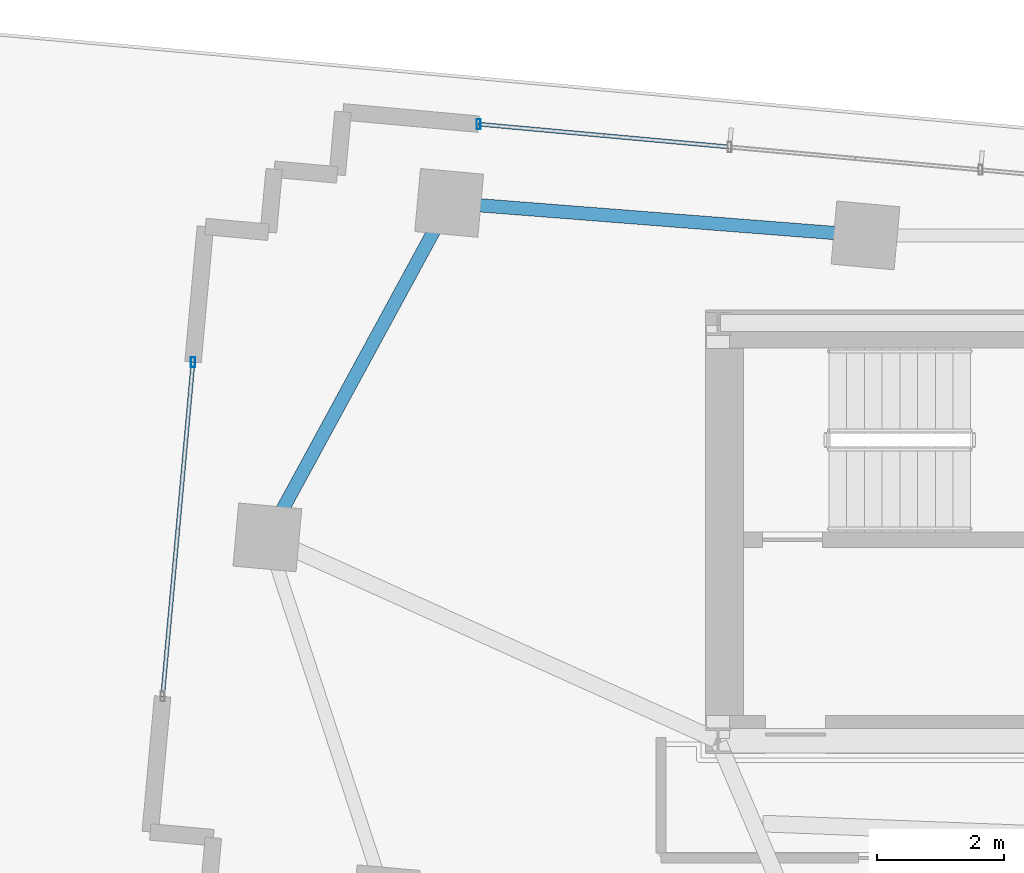
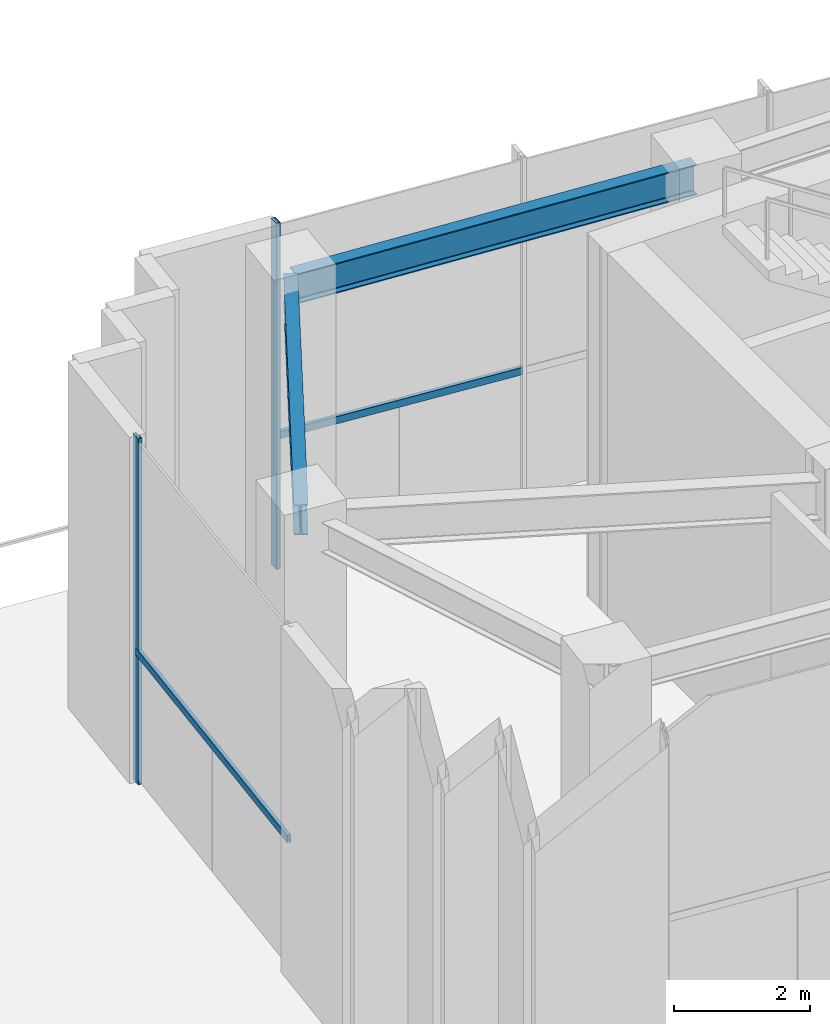
# One storey, part 4 of 18: 4 members, 2 beams, 2 elements without a shape of their own.
"""IFC4 building model written with IfcOpenShell, lengths in metres."""

from ifc_helpers import new_model, si_unit, direction, frame, origin, origin_2d, place, context, subcontext, project, spatial, hollow_rectangle, i_section, extrude, source, transform, mapped, material, material_profile, profile_set, type_object, type_shapes, element, aggregate, save


model = new_model("IFC4")

# Units and contexts
model_context = context("Model", 3, precision=1e-05, world=origin(), true_north=direction((0.0, 1.0)))
body_context = subcontext(model_context, "Body", "Model", "MODEL_VIEW")
ifc_project = project(units=[si_unit("LENGTHUNIT", "METRE"), si_unit("AREAUNIT", "SQUARE_METRE"), si_unit("VOLUMEUNIT", "CUBIC_METRE"), si_unit("PLANEANGLEUNIT", "RADIAN"), si_unit("MASSUNIT", "GRAM", prefix="KILO")], contexts=[model_context])

# Site, building, storey
site_placement = place(None, origin())
site = spatial("IfcSite", under=ifc_project, at=site_placement, CompositionType="ELEMENT")
building_placement = place(site_placement, origin())
building = spatial("IfcBuilding", under=site, at=building_placement, Name="Astriad Promenade Condominiums", CompositionType="ELEMENT")
storey_placement = place(building_placement, frame((0.0, 0.0, 264.300048828125)))
storey = spatial("IfcBuildingStorey", under=building, at=storey_placement, Name="L76", CompositionType="ELEMENT", Elevation=264.300048828125)

# Beams
ifc_material_1 = material(Name="Steel ASTM A992 Grade 50", Category="steel")
ifc_material_profile_1 = material_profile(ifc_material_1, i_section(OverallWidth=0.210693359375, OverallDepth=0.53955078125, WebThickness=0.01171875, FlangeThickness=0.018798828125, FilletRadius=0.0166015625, at=origin_2d()), Name="W21X73")
ifc_profile_set_1 = profile_set([ifc_material_profile_1], Name="Steel ASTM A992 Grade 50")
beam_type = type_object("IfcBeamType", Name="STEEL SPANDREL BEAM W21X73", PredefinedType="SPANDREL", material=ifc_profile_set_1)
shared_shape_1 = source(origin(), body_context, "Body", "SweptSolid", [
    extrude(i_section(OverallWidth=0.210693359375, OverallDepth=0.53955078125, WebThickness=0.01171875, FlangeThickness=0.018798828125, FilletRadius=0.0166015625, at=origin_2d()), origin(), (0.0, 0.0, 1.0), 5.93115234375),
])
beam_1_placement = place(storey_placement, frame((22.135498046875, 25.8583984375, 5.93017578125), z_axis=(-0.477527827146, -0.878616625327, 0.0), x_axis=(0.878616625327, -0.477527827146, 0.0)))
element("IfcBeam", 1, at=beam_1_placement, inside=storey, type_object=beam_type, Name="Perimeter Spandrel Beam SP-W2-L76", PredefinedType="SPANDREL", context=body_context, shape_type="MappedRepresentation", body=[
    mapped(shared_shape_1, transform((0.0, 0.0, 0.0), scale=1.0)),
])
shared_shape_2 = source(origin(), body_context, "Body", "SweptSolid", [
    extrude(i_section(OverallWidth=0.210693359375, OverallDepth=0.53955078125, WebThickness=0.01171875, FlangeThickness=0.018798828125, FilletRadius=0.0166015625, at=origin_2d()), origin(), (0.0, 0.0, 1.0), 6.5126953125),
])
type_shapes(beam_type, [shared_shape_1, shared_shape_2])
beam_2_placement = place(storey_placement, frame((28.6875, 25.383056640625, 5.93017578125), z_axis=(-0.996961368095, 0.077897564313, 0.0), x_axis=(-0.077897564313, -0.996961368095, 0.0)))
element("IfcBeam", 2, at=beam_2_placement, inside=storey, type_object=beam_type, Name="Perimeter Spandrel Beam SP-N1-L76", PredefinedType="SPANDREL", context=body_context, shape_type="MappedRepresentation", body=[
    mapped(shared_shape_2, transform((0.0, 0.0, 0.0), scale=1.0)),
])

# Curtain wall, member
ifc_material_2 = material(Name="Anodised aluminium Black Dark Glass Unitised", Category="aluminium")
curtain_wall_type = type_object("IfcCurtainWallType", Name="CW-TMD-LANTERN", PredefinedType="USERDEFINED", material=ifc_material_2)
curtain_wall_1_placement = place(storey_placement, origin())
curtain_wall_1 = element("IfcCurtainWall", 3, at=curtain_wall_1_placement, inside=storey, type_object=curtain_wall_type, Name="CW-LNT-L76-03-1", ObjectType="UNITISED_CURTAIN_WALL", PredefinedType="USERDEFINED")
ifc_material_3 = material(Name="Anodised aluminium 6063-T6 Black", Category="aluminium")
ifc_material_profile_2 = material_profile(ifc_material_3, hollow_rectangle(XDim=0.06494140625, YDim=0.159912109375, WallThickness=0.00390625, at=origin_2d()), Name="ALU-MUL-65X160")
ifc_profile_set_2 = profile_set([ifc_material_profile_2], Name="Anodised aluminium 6063-T6 Black")
member_type_1 = type_object("IfcMemberType", Name="MUL-ALU-MUL-65X160", PredefinedType="MULLION", material=ifc_profile_set_2)
shared_shape_3 = source(origin(), body_context, "Body", "SweptSolid", [
    extrude(hollow_rectangle(XDim=0.06494140625, YDim=0.159912109375, WallThickness=0.00390625, at=origin_2d()), origin(), (0.0, 0.0, 1.0), 6.199951171875),
])
type_shapes(member_type_1, [shared_shape_3])
member_1_placement = place(storey_placement, frame((18.110107421875, 23.3798828125, 0.0), z_axis=(0.0, 0.0, 1.0), x_axis=(1.0, 0.0, 0.0)))
member_1 = element("IfcMember", 4, at=member_1_placement, type_object=member_type_1, Name="CW-LNT-L76-03-1-MUL-01", PredefinedType="MULLION", context=body_context, shape_type="MappedRepresentation", body=[
    mapped(shared_shape_3, transform((0.0, 0.0, 0.0), scale=1.0)),
])

curtain_wall_2_placement = place(storey_placement, origin())
curtain_wall_2 = element("IfcCurtainWall", 5, at=curtain_wall_2_placement, inside=storey, type_object=curtain_wall_type, Name="CW-LNT-L76-08-1", ObjectType="UNITISED_CURTAIN_WALL", PredefinedType="USERDEFINED")
member_2_placement = place(storey_placement, frame((22.619140625, 27.13671875, 0.0), z_axis=(0.0, 0.0, 1.0), x_axis=(1.0, 0.0, 0.0)))
member_2 = element("IfcMember", 6, at=member_2_placement, type_object=member_type_1, Name="CW-LNT-L76-08-1-MUL-00", PredefinedType="MULLION", context=body_context, shape_type="MappedRepresentation", body=[
    mapped(shared_shape_3, transform((0.0, 0.0, 0.0), scale=1.0)),
])

# Member
ifc_material_profile_3 = material_profile(ifc_material_3, hollow_rectangle(XDim=0.06494140625, YDim=0.1298828125, WallThickness=0.00390625, at=origin_2d()), Name="ALU-TRN-65X130")
ifc_profile_set_3 = profile_set([ifc_material_profile_3], Name="Anodised aluminium 6063-T6 Black")
member_type_2 = type_object("IfcMemberType", Name="TRN-ALU-TRN-65X130", PredefinedType="USERDEFINED", material=ifc_profile_set_3)
shared_shape_4 = source(origin(), body_context, "Body", "SweptSolid", [
    extrude(hollow_rectangle(XDim=0.06494140625, YDim=0.1298828125, WallThickness=0.00390625, at=origin_2d()), origin(), (0.0, 0.0, 1.0), 5.2998046875),
])
member_3_placement = place(storey_placement, frame((17.6298828125, 18.101806640625, 2.349853515625), z_axis=(0.090610507555, 0.995886407137, 0.0), x_axis=(-0.995886407137, 0.090610507555, 0.0)))
member_3 = element("IfcMember", 7, at=member_3_placement, type_object=member_type_2, Name="CW-LNT-L76-03-1-TRN-00-0", ObjectType="TRANSOM", PredefinedType="USERDEFINED", context=body_context, shape_type="MappedRepresentation", body=[
    mapped(shared_shape_4, transform((0.0, 0.0, 0.0), scale=1.0)),
])

aggregate(curtain_wall_1, [member_1, member_3])

shared_shape_5 = source(origin(), body_context, "Body", "SweptSolid", [
    extrude(hollow_rectangle(XDim=0.06494140625, YDim=0.1298828125, WallThickness=0.00390625, at=origin_2d()), origin(), (0.0, 0.0, 1.0), 3.9794921875),
])
type_shapes(member_type_2, [shared_shape_4, shared_shape_5])
member_4_placement = place(storey_placement, frame((22.619140625, 27.13671875, 2.349853515625), z_axis=(0.995880625321, -0.090674032171, 0.0), x_axis=(0.090674032171, 0.995880625321, 0.0)))
member_4 = element("IfcMember", 8, at=member_4_placement, type_object=member_type_2, Name="CW-LNT-L76-08-1-TRN-00-0", ObjectType="TRANSOM", PredefinedType="USERDEFINED", context=body_context, shape_type="MappedRepresentation", body=[
    mapped(shared_shape_5, transform((0.0, 0.0, 0.0), scale=1.0)),
])

aggregate(curtain_wall_2, [member_2, member_4])

save(model, "model.ifc")
